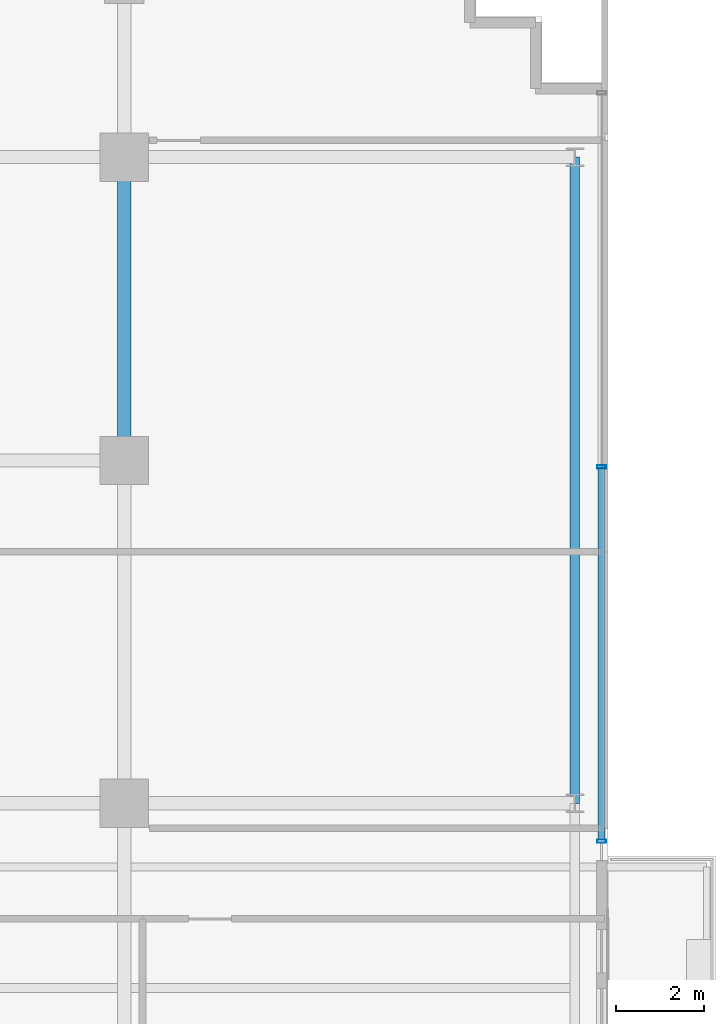
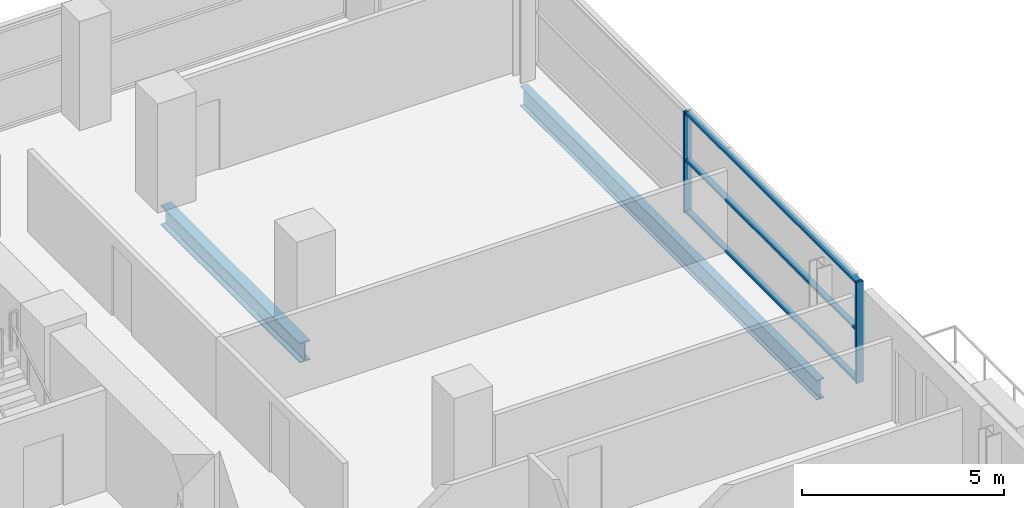
# One storey, part 11 of 26: 5 members, 2 beams, 1 element without a shape of its own.
"""IFC4 building model written with IfcOpenShell, lengths in metres."""

from ifc_helpers import new_model, si_unit, direction, frame, origin, origin_2d, place, context, subcontext, project, spatial, hollow_rectangle, i_section, extrude, source, transform, mapped, material, layer, layer_set, material_profile, profile_set, type_object, element, aggregate, save


model = new_model("IFC4")

# Units and contexts
model_context = context("Model", 3, precision=1e-05, world=origin(), true_north=direction((0.0, 1.0)))
body_context = subcontext(model_context, "Body", "Model", "MODEL_VIEW")
ifc_project = project(units=[si_unit("LENGTHUNIT", "METRE"), si_unit("AREAUNIT", "SQUARE_METRE"), si_unit("VOLUMEUNIT", "CUBIC_METRE"), si_unit("PLANEANGLEUNIT", "RADIAN"), si_unit("MASSUNIT", "GRAM", prefix="KILO")], contexts=[model_context])

# Site, building, storey
site_placement = place(None, origin())
site = spatial("IfcSite", under=ifc_project, at=site_placement, CompositionType="ELEMENT")
building_placement = place(site_placement, origin())
building = spatial("IfcBuilding", under=site, at=building_placement, Name="Zarnakvel Exchange Tower", CompositionType="ELEMENT")
storey_placement = place(building_placement, frame((0.0, 0.0, 70.300048828125)))
storey = spatial("IfcBuildingStorey", under=building, at=storey_placement, Name="L19", CompositionType="ELEMENT", Elevation=70.300048828125)

# Beams
ifc_material_1 = material(Name="Steel S355", Category="steel")
ifc_material_profile_1 = material_profile(ifc_material_1, i_section(OverallWidth=0.300048828125, OverallDepth=0.60009765625, WebThickness=0.015380859375, FlangeThickness=0.030029296875, FilletRadius=0.027099609375, at=origin_2d()))
ifc_profile_set_1 = profile_set([ifc_material_profile_1], Name="Steel S355")
beam_type_1 = type_object("IfcBeamType", Name="G-04", PredefinedType="BEAM", material=ifc_profile_set_1)
beam_1_placement = place(storey_placement, frame((21.60009765625, 6.60009765625, -0.525146484375), z_axis=(0.0, 1.0, 0.0), x_axis=(-1.0, 0.0, 0.0)))
element("IfcBeam", 1, at=beam_1_placement, inside=storey, type_object=beam_type_1, Name="L19 Tower N-S Frame Beam", PredefinedType="BEAM", context=body_context, shape_type="SweptSolid", body=[
    extrude(i_section(OverallWidth=0.300048828125, OverallDepth=0.60009765625, WebThickness=0.015380859375, FlangeThickness=0.030029296875, FilletRadius=0.027099609375, at=origin_2d()), origin(), (0.0, 0.0, 1.0), 6.89990234375),
])
ifc_material_profile_2 = material_profile(ifc_material_1, i_section(OverallWidth=0.219970703125, OverallDepth=0.60009765625, WebThickness=0.011962890625, FlangeThickness=0.01904296875, FilletRadius=0.02392578125, at=origin_2d()))
ifc_profile_set_2 = profile_set([ifc_material_profile_2], Name="Steel S355")
beam_type_2 = type_object("IfcBeamType", Name="SP-01", PredefinedType="SPANDREL", material=ifc_profile_set_2)
beam_2_placement = place(storey_placement, frame((31.85009765625, -1.199951171875, -0.525146484375), z_axis=(0.0, 1.0, 0.0), x_axis=(-1.0, 0.0, 0.0)))
element("IfcBeam", 2, at=beam_2_placement, inside=storey, type_object=beam_type_2, Name="L19 Tower N-S Frame Beam", PredefinedType="SPANDREL", context=body_context, shape_type="SweptSolid", body=[
    extrude(i_section(OverallWidth=0.219970703125, OverallDepth=0.60009765625, WebThickness=0.011962890625, FlangeThickness=0.01904296875, FilletRadius=0.02392578125, at=origin_2d()), origin(), (0.0, 0.0, 1.0), 14.699951171875),
])

# Curtain wall, members
ifc_material_2 = material(Name="Architectural Bronze Anodised Aluminium", Category="aluminium")
ifc_layer = layer(ifc_material_2, 0.199951171875)
ifc_layer_set = layer_set([ifc_layer], Name="Architectural Bronze Anodised Aluminium")
curtain_wall_type = type_object("IfcCurtainWallType", Name="CW-04", PredefinedType="NOTDEFINED", material=ifc_layer_set)
curtain_wall_placement = place(storey_placement, origin())
curtain_wall = element("IfcCurtainWall", 3, at=curtain_wall_placement, inside=storey, type_object=curtain_wall_type, Name="L19 Curtain Wall CW-L19-EN (CW-04)", PredefinedType="NOTDEFINED")
ifc_material_profile_3 = material_profile(ifc_material_2, hollow_rectangle(XDim=0.159912109375, YDim=0.074951171875, WallThickness=0.00390625, at=origin_2d()))
ifc_profile_set_3 = profile_set([ifc_material_profile_3], Name="Architectural Bronze Anodised Aluminium")
member_type_1 = type_object("IfcMemberType", Name="CWT-04", PredefinedType="USERDEFINED", material=ifc_profile_set_3)
shared_shape_1 = source(origin(), body_context, "Body", "SweptSolid", [
    extrude(hollow_rectangle(XDim=0.159912109375, YDim=0.074951171875, WallThickness=0.00390625, at=origin_2d()), origin(), (0.0, 0.0, 1.0), 8.4375),
])
member_1_placement = place(storey_placement, frame((32.4599609375, -2.02490234375, 0.037353515625), z_axis=(0.0, 1.0, 0.0), x_axis=(-1.0, 0.0, 0.0)))
member_1 = element("IfcMember", 4, at=member_1_placement, type_object=member_type_1, Name="CW-04 transom 1.1", ObjectType="TRANSOM", PredefinedType="USERDEFINED", context=body_context, shape_type="MappedRepresentation", body=[
    mapped(shared_shape_1, transform((0.0, 0.0, 0.0), x_axis=(1.0, 0.0, 0.0), y_axis=(0.0, 1.0, 0.0), z_axis=(0.0, 0.0, 1.0), scale=1.0)),
])
member_2_placement = place(storey_placement, frame((32.4599609375, -2.02490234375, 1.588623046875), z_axis=(0.0, 1.0, 0.0), x_axis=(-1.0, 0.0, 0.0)))
member_2 = element("IfcMember", 5, at=member_2_placement, type_object=member_type_1, Name="CW-04 transom 1.2", ObjectType="TRANSOM", PredefinedType="USERDEFINED", context=body_context, shape_type="MappedRepresentation", body=[
    mapped(shared_shape_1, transform((0.0, 0.0, 0.0), x_axis=(1.0, 0.0, 0.0), y_axis=(0.0, 1.0, 0.0), z_axis=(0.0, 0.0, 1.0), scale=1.0)),
])
member_3_placement = place(storey_placement, frame((32.4599609375, -2.02490234375, 3.017333984375), z_axis=(0.0, 1.0, 0.0), x_axis=(-1.0, 0.0, 0.0)))
member_3 = element("IfcMember", 6, at=member_3_placement, type_object=member_type_1, Name="CW-04 transom 1.3", ObjectType="TRANSOM", PredefinedType="USERDEFINED", context=body_context, shape_type="MappedRepresentation", body=[
    mapped(shared_shape_1, transform((0.0, 0.0, 0.0), x_axis=(1.0, 0.0, 0.0), y_axis=(0.0, 1.0, 0.0), z_axis=(0.0, 0.0, 1.0), scale=1.0)),
])
ifc_material_profile_4 = material_profile(ifc_material_2, hollow_rectangle(XDim=0.199951171875, YDim=0.074951171875, WallThickness=0.0048828125, at=origin_2d()))
ifc_profile_set_4 = profile_set([ifc_material_profile_4], Name="Architectural Bronze Anodised Aluminium")
member_type_2 = type_object("IfcMemberType", Name="CWM-04", PredefinedType="MULLION", material=ifc_profile_set_4)
shared_shape_2 = source(origin(), body_context, "Body", "SweptSolid", [
    extrude(hollow_rectangle(XDim=0.199951171875, YDim=0.074951171875, WallThickness=0.0048828125, at=origin_2d()), origin(), (0.0, 0.0, 1.0), 3.054931640625),
])
member_4_placement = place(storey_placement, frame((32.4599609375, -2.0625, 0.0), z_axis=(0.0, 0.0, 1.0), x_axis=(-1.0, 0.0, 0.0)))
member_4 = element("IfcMember", 7, at=member_4_placement, type_object=member_type_2, Name="CW-04 mullion 1", PredefinedType="MULLION", context=body_context, shape_type="MappedRepresentation", body=[
    mapped(shared_shape_2, transform((0.0, 0.0, 0.0), x_axis=(1.0, 0.0, 0.0), y_axis=(0.0, 1.0, 0.0), z_axis=(0.0, 0.0, 1.0), scale=1.0)),
])
member_5_placement = place(storey_placement, frame((32.4599609375, 6.449951171875, 0.0), z_axis=(0.0, 0.0, 1.0), x_axis=(-1.0, 0.0, 0.0)))
member_5 = element("IfcMember", 8, at=member_5_placement, type_object=member_type_2, Name="CW-04 mullion 2", PredefinedType="MULLION", context=body_context, shape_type="MappedRepresentation", body=[
    mapped(shared_shape_2, transform((0.0, 0.0, 0.0), x_axis=(1.0, 0.0, 0.0), y_axis=(0.0, 1.0, 0.0), z_axis=(0.0, 0.0, 1.0), scale=1.0)),
])
aggregate(curtain_wall, [member_4, member_5, member_1, member_2, member_3])

save(model, "model.ifc")
